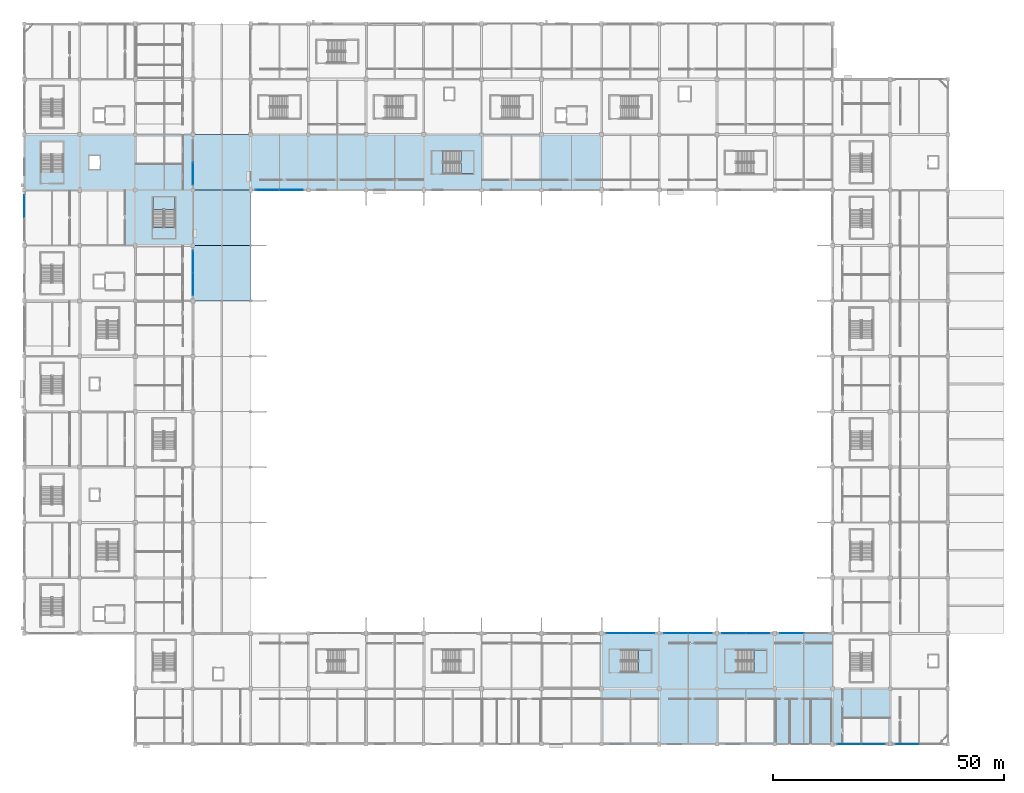
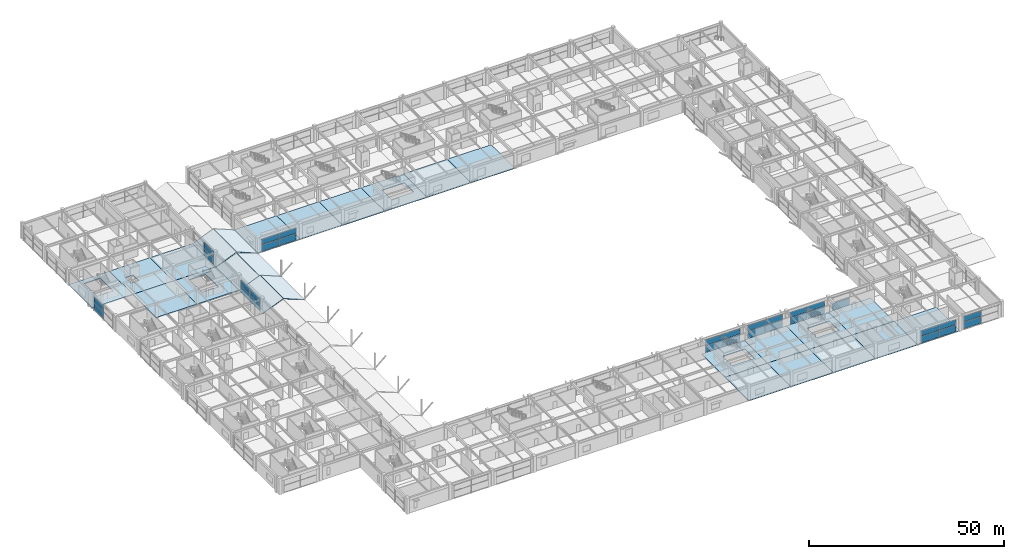
# One storey, part 57 of 116: 31 plates, 30 slabs, 14 elements without a shape of their own.
"""IFC4 building model written with IfcOpenShell, lengths in metres."""

from ifc_helpers import new_model, si_unit, direction, frame, origin, origin_2d, place, context, subcontext, project, spatial, polyline, rectangle, outline, extrude, material, layer, layer_set, type_object, element, aggregate, save


model = new_model("IFC4")

# Units and contexts
model_context = context("Model", 3, precision=1e-05, world=origin(), true_north=direction((0.0, 1.0)))
body_context = subcontext(model_context, "Body", "Model", "MODEL_VIEW")
ifc_project = project(units=[si_unit("LENGTHUNIT", "METRE"), si_unit("AREAUNIT", "SQUARE_METRE"), si_unit("VOLUMEUNIT", "CUBIC_METRE"), si_unit("PLANEANGLEUNIT", "RADIAN"), si_unit("MASSUNIT", "GRAM", prefix="KILO")], contexts=[model_context])

# Site, building, storey
site_placement = place(None, origin())
site = spatial("IfcSite", under=ifc_project, at=site_placement, CompositionType="ELEMENT")
building_placement = place(site_placement, origin())
building = spatial("IfcBuilding", under=site, at=building_placement, Name="Kazenohara Klinker Stadium", CompositionType="ELEMENT")
storey_placement = place(building_placement, frame((0.0, 0.0, 10.199951171875)))
storey = spatial("IfcBuildingStorey", under=building, at=storey_placement, Name="L02", CompositionType="ELEMENT", Elevation=10.199951171875)

# Curtain wall, plates
ifc_material_1 = material(Name="Anodised aluminium and triple glazing", Category="aluminium")
ifc_layer_1 = layer(ifc_material_1, 0.159912109375)
ifc_layer_set_1 = layer_set([ifc_layer_1], Name="Anodised aluminium and triple glazing")
curtain_wall_type_1 = type_object("IfcCurtainWallType", Name="CW-SYS-01", PredefinedType="USERDEFINED", material=ifc_layer_set_1)
curtain_wall_1_placement = place(storey_placement, origin())
curtain_wall_1 = element("IfcCurtainWall", 1, at=curtain_wall_1_placement, inside=storey, type_object=curtain_wall_type_1, Name="Unitised facade curtain wall CW01 L02 Y0-10", ObjectType="UNITISED CURTAIN WALL", PredefinedType="USERDEFINED")
ifc_material_2 = material(Name="Low-e laminated triple glazing", Category="glass")
ifc_layer_2 = layer(ifc_material_2, 0.035888671875)
ifc_layer_set_2 = layer_set([ifc_layer_2], Name="Low-e laminated triple glazing")
plate_type_1 = type_object("IfcPlateType", Name="CW-PNL-36", PredefinedType="CURTAIN_PANEL", material=ifc_layer_set_2)
plate_1_placement = place(storey_placement, frame((0.0, 128.46923828125, 0.065185546875), z_axis=(0.0, 0.0, 1.0), x_axis=(0.0, 1.0, 0.0)))
plate_1 = element("IfcPlate", 2, at=plate_1_placement, type_object=plate_type_1, Name="CW01 panel 2.1", PredefinedType="CURTAIN_PANEL", context=body_context, shape_type="SweptSolid", body=[
    extrude(rectangle(XDim=4.823486328125, YDim=0.035888671875, at=origin_2d()), origin(), (0.0, 0.0, 1.0), 2.16845703125),
])
plate_2_placement = place(storey_placement, frame((0.0, 128.46923828125, 2.29833984375), z_axis=(0.0, 0.0, 1.0), x_axis=(0.0, 1.0, 0.0)))
plate_2 = element("IfcPlate", 3, at=plate_2_placement, type_object=plate_type_1, Name="CW01 panel 2.2", PredefinedType="CURTAIN_PANEL", context=body_context, shape_type="SweptSolid", body=[
    extrude(rectangle(XDim=4.823486328125, YDim=0.035888671875, at=origin_2d()), origin(), (0.0, 0.0, 1.0), 1.756591796875),
])
aggregate(curtain_wall_1, [plate_1, plate_2])

ifc_layer_3 = layer(ifc_material_1, 0.169921875)
ifc_layer_set_3 = layer_set([ifc_layer_3], Name="Anodised aluminium and triple glazing")
curtain_wall_type_2 = type_object("IfcCurtainWallType", Name="CW-SYS-04", PredefinedType="USERDEFINED", material=ifc_layer_set_3)
curtain_wall_2_placement = place(storey_placement, origin())
curtain_wall_2 = element("IfcCurtainWall", 4, at=curtain_wall_2_placement, inside=storey, type_object=curtain_wall_type_2, Name="Unitised facade curtain wall CW04 L02 Y3-9", ObjectType="UNITISED CURTAIN WALL", PredefinedType="USERDEFINED")
plate_3_placement = place(storey_placement, frame((36.5, 111.605712890625, 0.06494140625), z_axis=(0.0, 0.0, 1.0), x_axis=(0.0, 1.0, 0.0)))
plate_3 = element("IfcPlate", 5, at=plate_3_placement, type_object=plate_type_1, Name="CW04 panel 1.1", PredefinedType="CURTAIN_PANEL", context=body_context, shape_type="SweptSolid", body=[
    extrude(rectangle(XDim=4.7734375, YDim=0.035888671875, at=origin_2d()), origin(), (0.0, 0.0, 1.0), 2.113525390625),
])
plate_4_placement = place(storey_placement, frame((36.5, 111.605712890625, 2.24365234375), z_axis=(0.0, 0.0, 1.0), x_axis=(0.0, 1.0, 0.0)))
plate_4 = element("IfcPlate", 6, at=plate_4_placement, type_object=plate_type_1, Name="CW04 panel 1.2", PredefinedType="CURTAIN_PANEL", context=body_context, shape_type="SweptSolid", body=[
    extrude(rectangle(XDim=4.7734375, YDim=0.035888671875, at=origin_2d()), origin(), (0.0, 0.0, 1.0), 1.71142578125),
])
plate_5_placement = place(storey_placement, frame((36.5, 116.4443359375, 0.06494140625), z_axis=(0.0, 0.0, 1.0), x_axis=(0.0, 1.0, 0.0)))
plate_5 = element("IfcPlate", 7, at=plate_5_placement, type_object=plate_type_1, Name="CW04 panel 2.1", PredefinedType="CURTAIN_PANEL", context=body_context, shape_type="SweptSolid", body=[
    extrude(rectangle(XDim=4.7734375, YDim=0.035888671875, at=origin_2d()), origin(), (0.0, 0.0, 1.0), 2.113525390625),
])
plate_6_placement = place(storey_placement, frame((36.5, 116.4443359375, 2.24365234375), z_axis=(0.0, 0.0, 1.0), x_axis=(0.0, 1.0, 0.0)))
plate_6 = element("IfcPlate", 8, at=plate_6_placement, type_object=plate_type_1, Name="CW04 panel 2.2", PredefinedType="CURTAIN_PANEL", context=body_context, shape_type="SweptSolid", body=[
    extrude(rectangle(XDim=4.7734375, YDim=0.035888671875, at=origin_2d()), origin(), (0.0, 0.0, 1.0), 1.71142578125),
])
aggregate(curtain_wall_2, [plate_3, plate_4, plate_5, plate_6])

ifc_layer_4 = layer(ifc_material_1, 0.18994140625)
ifc_layer_set_4 = layer_set([ifc_layer_4], Name="Anodised aluminium and triple glazing")
curtain_wall_type_3 = type_object("IfcCurtainWallType", Name="CW-SYS-05", PredefinedType="USERDEFINED", material=ifc_layer_set_4)
curtain_wall_3_placement = place(storey_placement, origin())
curtain_wall_3 = element("IfcCurtainWall", 9, at=curtain_wall_3_placement, inside=storey, type_object=curtain_wall_type_3, Name="Unitised facade curtain wall CW05 L02 X10-3", ObjectType="UNITISED CURTAIN WALL", PredefinedType="USERDEFINED")
plate_7_placement = place(storey_placement, frame((128.705810546875, 36.0, 0.065185546875), z_axis=(0.0, 0.0, 1.0), x_axis=(1.0, 0.0, 0.0)))
plate_7 = element("IfcPlate", 10, at=plate_7_placement, type_object=plate_type_1, Name="CW05 panel 1.1", PredefinedType="CURTAIN_PANEL", context=body_context, shape_type="SweptSolid", body=[
    extrude(rectangle(XDim=5.073486328125, YDim=0.035888671875, at=origin_2d()), origin(), (0.0, 0.0, 1.0), 2.16845703125),
])
plate_8_placement = place(storey_placement, frame((128.705810546875, 36.0, 2.29833984375), z_axis=(0.0, 0.0, 1.0), x_axis=(1.0, 0.0, 0.0)))
plate_8 = element("IfcPlate", 11, at=plate_8_placement, type_object=plate_type_1, Name="CW05 panel 1.2", PredefinedType="CURTAIN_PANEL", context=body_context, shape_type="SweptSolid", body=[
    extrude(rectangle(XDim=5.073486328125, YDim=0.035888671875, at=origin_2d()), origin(), (0.0, 0.0, 1.0), 1.756591796875),
])
plate_9_placement = place(storey_placement, frame((133.84423828125, 36.0, 0.065185546875), z_axis=(0.0, 0.0, 1.0), x_axis=(1.0, 0.0, 0.0)))
plate_9 = element("IfcPlate", 12, at=plate_9_placement, type_object=plate_type_1, Name="CW05 panel 2.1", PredefinedType="CURTAIN_PANEL", context=body_context, shape_type="SweptSolid", body=[
    extrude(rectangle(XDim=5.073486328125, YDim=0.035888671875, at=origin_2d()), origin(), (0.0, 0.0, 1.0), 2.16845703125),
])
plate_10_placement = place(storey_placement, frame((133.84423828125, 36.0, 2.29833984375), z_axis=(0.0, 0.0, 1.0), x_axis=(1.0, 0.0, 0.0)))
plate_10 = element("IfcPlate", 13, at=plate_10_placement, type_object=plate_type_1, Name="CW05 panel 2.2", PredefinedType="CURTAIN_PANEL", context=body_context, shape_type="SweptSolid", body=[
    extrude(rectangle(XDim=5.073486328125, YDim=0.035888671875, at=origin_2d()), origin(), (0.0, 0.0, 1.0), 1.756591796875),
])
aggregate(curtain_wall_3, [plate_7, plate_8, plate_9, plate_10])

ifc_layer_5 = layer(ifc_material_1, 0.179931640625)
ifc_layer_set_5 = layer_set([ifc_layer_5], Name="Anodised aluminium and triple glazing")
curtain_wall_type_4 = type_object("IfcCurtainWallType", Name="CW-SYS-02", PredefinedType="USERDEFINED", material=ifc_layer_set_5)
curtain_wall_4_placement = place(storey_placement, origin())
curtain_wall_4 = element("IfcCurtainWall", 14, at=curtain_wall_4_placement, inside=storey, type_object=curtain_wall_type_4, Name="Unitised facade curtain wall CW02 L02 X11-3", ObjectType="UNITISED CURTAIN WALL", PredefinedType="USERDEFINED")
plate_11_placement = place(storey_placement, frame((141.168212890625, 36.0, 0.06494140625), z_axis=(0.0, 0.0, 1.0), x_axis=(1.0, 0.0, 0.0)))
plate_11 = element("IfcPlate", 15, at=plate_11_placement, type_object=plate_type_1, Name="CW02 panel 1.1", PredefinedType="CURTAIN_PANEL", context=body_context, shape_type="SweptSolid", body=[
    extrude(rectangle(XDim=5.098388671875, YDim=0.035888671875, at=origin_2d()), origin(), (0.0, 0.0, 1.0), 2.223388671875),
])
plate_12_placement = place(storey_placement, frame((141.168212890625, 36.0, 2.353515625), z_axis=(0.0, 0.0, 1.0), x_axis=(1.0, 0.0, 0.0)))
plate_12 = element("IfcPlate", 16, at=plate_12_placement, type_object=plate_type_1, Name="CW02 panel 1.2", PredefinedType="CURTAIN_PANEL", context=body_context, shape_type="SweptSolid", body=[
    extrude(rectangle(XDim=5.098388671875, YDim=0.035888671875, at=origin_2d()), origin(), (0.0, 0.0, 1.0), 1.801513671875),
])
plate_13_placement = place(storey_placement, frame((146.331787109375, 36.0, 0.06494140625), z_axis=(0.0, 0.0, 1.0), x_axis=(1.0, 0.0, 0.0)))
plate_13 = element("IfcPlate", 17, at=plate_13_placement, type_object=plate_type_1, Name="CW02 panel 2.1", PredefinedType="CURTAIN_PANEL", context=body_context, shape_type="SweptSolid", body=[
    extrude(rectangle(XDim=5.098388671875, YDim=0.035888671875, at=origin_2d()), origin(), (0.0, 0.0, 1.0), 2.223388671875),
])
plate_14_placement = place(storey_placement, frame((146.331787109375, 36.0, 2.353515625), z_axis=(0.0, 0.0, 1.0), x_axis=(1.0, 0.0, 0.0)))
plate_14 = element("IfcPlate", 18, at=plate_14_placement, type_object=plate_type_1, Name="CW02 panel 2.2", PredefinedType="CURTAIN_PANEL", context=body_context, shape_type="SweptSolid", body=[
    extrude(rectangle(XDim=5.098388671875, YDim=0.035888671875, at=origin_2d()), origin(), (0.0, 0.0, 1.0), 1.801513671875),
])
aggregate(curtain_wall_4, [plate_11, plate_12, plate_13, plate_14])

curtain_wall_5_placement = place(storey_placement, origin())
curtain_wall_5 = element("IfcCurtainWall", 19, at=curtain_wall_5_placement, inside=storey, type_object=curtain_wall_type_2, Name="Unitised facade curtain wall CW04 L02 X12-3", ObjectType="UNITISED CURTAIN WALL", PredefinedType="USERDEFINED")
plate_15_placement = place(storey_placement, frame((153.65576171875, 36.0, 0.06494140625), z_axis=(0.0, 0.0, 1.0), x_axis=(1.0, 0.0, 0.0)))
plate_15 = element("IfcPlate", 20, at=plate_15_placement, type_object=plate_type_1, Name="CW04 panel 1.1", PredefinedType="CURTAIN_PANEL", context=body_context, shape_type="SweptSolid", body=[
    extrude(rectangle(XDim=5.073486328125, YDim=0.035888671875, at=origin_2d()), origin(), (0.0, 0.0, 1.0), 2.113525390625),
])
plate_16_placement = place(storey_placement, frame((153.65576171875, 36.0, 2.24365234375), z_axis=(0.0, 0.0, 1.0), x_axis=(1.0, 0.0, 0.0)))
plate_16 = element("IfcPlate", 21, at=plate_16_placement, type_object=plate_type_1, Name="CW04 panel 1.2", PredefinedType="CURTAIN_PANEL", context=body_context, shape_type="SweptSolid", body=[
    extrude(rectangle(XDim=5.073486328125, YDim=0.035888671875, at=origin_2d()), origin(), (0.0, 0.0, 1.0), 1.71142578125),
])
plate_17_placement = place(storey_placement, frame((158.794189453125, 36.0, 0.06494140625), z_axis=(0.0, 0.0, 1.0), x_axis=(1.0, 0.0, 0.0)))
plate_17 = element("IfcPlate", 22, at=plate_17_placement, type_object=plate_type_1, Name="CW04 panel 2.1", PredefinedType="CURTAIN_PANEL", context=body_context, shape_type="SweptSolid", body=[
    extrude(rectangle(XDim=5.073486328125, YDim=0.035888671875, at=origin_2d()), origin(), (0.0, 0.0, 1.0), 2.113525390625),
])
plate_18_placement = place(storey_placement, frame((158.794189453125, 36.0, 2.24365234375), z_axis=(0.0, 0.0, 1.0), x_axis=(1.0, 0.0, 0.0)))
plate_18 = element("IfcPlate", 23, at=plate_18_placement, type_object=plate_type_1, Name="CW04 panel 2.2", PredefinedType="CURTAIN_PANEL", context=body_context, shape_type="SweptSolid", body=[
    extrude(rectangle(XDim=5.073486328125, YDim=0.035888671875, at=origin_2d()), origin(), (0.0, 0.0, 1.0), 1.71142578125),
])
aggregate(curtain_wall_5, [plate_15, plate_16, plate_17, plate_18])

# Curtain wall, plate
curtain_wall_6_placement = place(storey_placement, origin())
curtain_wall_6 = element("IfcCurtainWall", 24, at=curtain_wall_6_placement, inside=storey, type_object=curtain_wall_type_1, Name="Unitised facade curtain wall CW01 L02 X13-3", ObjectType="UNITISED CURTAIN WALL", PredefinedType="USERDEFINED")
plate_19_placement = place(storey_placement, frame((166.205810546875, 36.0, 0.065185546875), z_axis=(0.0, 0.0, 1.0), x_axis=(1.0, 0.0, 0.0)))
plate_19 = element("IfcPlate", 25, at=plate_19_placement, type_object=plate_type_1, Name="CW01 panel 1.1", PredefinedType="CURTAIN_PANEL", context=body_context, shape_type="SweptSolid", body=[
    extrude(rectangle(XDim=5.073486328125, YDim=0.035888671875, at=origin_2d()), origin(), (0.0, 0.0, 1.0), 2.16845703125),
])
aggregate(curtain_wall_6, [plate_19])

# Curtain wall, plates
ifc_layer_6 = layer(ifc_material_1, 0.199951171875)
ifc_layer_set_6 = layer_set([ifc_layer_6], Name="Anodised aluminium and triple glazing")
curtain_wall_type_5 = type_object("IfcCurtainWallType", Name="CW-SYS-03", PredefinedType="USERDEFINED", material=ifc_layer_set_6)
curtain_wall_7_placement = place(storey_placement, origin())
curtain_wall_7 = element("IfcCurtainWall", 26, at=curtain_wall_7_placement, inside=storey, type_object=curtain_wall_type_5, Name="Unitised facade curtain wall CW03 L02 X14-1", ObjectType="UNITISED CURTAIN WALL", PredefinedType="USERDEFINED")
plate_20_placement = place(storey_placement, frame((178.65576171875, 12.0, 0.06494140625), z_axis=(0.0, 0.0, 1.0), x_axis=(1.0, 0.0, 0.0)))
plate_20 = element("IfcPlate", 27, at=plate_20_placement, type_object=plate_type_1, Name="CW03 panel 1.1", PredefinedType="CURTAIN_PANEL", context=body_context, shape_type="SweptSolid", body=[
    extrude(rectangle(XDim=5.073486328125, YDim=0.035888671875, at=origin_2d()), origin(), (0.0, 0.0, 1.0), 2.113525390625),
])
plate_21_placement = place(storey_placement, frame((178.65576171875, 12.0, 2.24365234375), z_axis=(0.0, 0.0, 1.0), x_axis=(1.0, 0.0, 0.0)))
plate_21 = element("IfcPlate", 28, at=plate_21_placement, type_object=plate_type_1, Name="CW03 panel 1.2", PredefinedType="CURTAIN_PANEL", context=body_context, shape_type="SweptSolid", body=[
    extrude(rectangle(XDim=5.073486328125, YDim=0.035888671875, at=origin_2d()), origin(), (0.0, 0.0, 1.0), 1.71142578125),
])
plate_22_placement = place(storey_placement, frame((183.794189453125, 12.0, 0.06494140625), z_axis=(0.0, 0.0, 1.0), x_axis=(1.0, 0.0, 0.0)))
plate_22 = element("IfcPlate", 29, at=plate_22_placement, type_object=plate_type_1, Name="CW03 panel 2.1", PredefinedType="CURTAIN_PANEL", context=body_context, shape_type="SweptSolid", body=[
    extrude(rectangle(XDim=5.073486328125, YDim=0.035888671875, at=origin_2d()), origin(), (0.0, 0.0, 1.0), 2.113525390625),
])
plate_23_placement = place(storey_placement, frame((183.794189453125, 12.0, 2.24365234375), z_axis=(0.0, 0.0, 1.0), x_axis=(1.0, 0.0, 0.0)))
plate_23 = element("IfcPlate", 30, at=plate_23_placement, type_object=plate_type_1, Name="CW03 panel 2.2", PredefinedType="CURTAIN_PANEL", context=body_context, shape_type="SweptSolid", body=[
    extrude(rectangle(XDim=5.073486328125, YDim=0.035888671875, at=origin_2d()), origin(), (0.0, 0.0, 1.0), 1.71142578125),
])
aggregate(curtain_wall_7, [plate_20, plate_21, plate_22, plate_23])

curtain_wall_8_placement = place(storey_placement, origin())
curtain_wall_8 = element("IfcCurtainWall", 31, at=curtain_wall_8_placement, inside=storey, type_object=curtain_wall_type_3, Name="Unitised facade curtain wall CW05 L02 Y3-11", ObjectType="UNITISED CURTAIN WALL", PredefinedType="USERDEFINED")
ifc_layer_7 = layer(ifc_material_2, 0.0439453125)
ifc_layer_set_7 = layer_set([ifc_layer_7], Name="Low-e laminated triple glazing")
plate_type_2 = type_object("IfcPlateType", Name="CW-PNL-44", PredefinedType="CURTAIN_PANEL", material=ifc_layer_set_7)
plate_24_placement = place(storey_placement, frame((36.5, 135.520751953125, 0.0751953125), z_axis=(0.0, 0.0, 1.0), x_axis=(0.0, 1.0, 0.0)))
plate_24 = element("IfcPlate", 32, at=plate_24_placement, type_object=plate_type_2, Name="CW05 panel 1.1", PredefinedType="CURTAIN_PANEL", context=body_context, shape_type="SweptSolid", body=[
    extrude(rectangle(XDim=4.783447265625, YDim=0.0439453125, at=origin_2d()), origin(), (0.0, 0.0, 1.0), 2.215087890625),
])
plate_25_placement = place(storey_placement, frame((36.5, 135.520751953125, 2.364990234375), z_axis=(0.0, 0.0, 1.0), x_axis=(0.0, 1.0, 0.0)))
plate_25 = element("IfcPlate", 33, at=plate_25_placement, type_object=plate_type_2, Name="CW05 panel 1.2", PredefinedType="CURTAIN_PANEL", context=body_context, shape_type="SweptSolid", body=[
    extrude(rectangle(XDim=4.783447265625, YDim=0.0439453125, at=origin_2d()), origin(), (0.0, 0.0, 1.0), 1.7919921875),
])
aggregate(curtain_wall_8, [plate_24, plate_25])

curtain_wall_9_placement = place(storey_placement, origin())
curtain_wall_9 = element("IfcCurtainWall", 34, at=curtain_wall_9_placement, inside=storey, type_object=curtain_wall_type_2, Name="Unitised facade curtain wall CW04 L02 X4-11", ObjectType="UNITISED CURTAIN WALL", PredefinedType="USERDEFINED")
plate_26_placement = place(storey_placement, frame((52.658203125, 132.0, 0.0751953125), z_axis=(0.0, 0.0, 1.0), x_axis=(1.0, 0.0, 0.0)))
plate_26 = element("IfcPlate", 35, at=plate_26_placement, type_object=plate_type_2, Name="CW04 panel 1.1", PredefinedType="CURTAIN_PANEL", context=body_context, shape_type="SweptSolid", body=[
    extrude(rectangle(XDim=5.05859375, YDim=0.0439453125, at=origin_2d()), origin(), (0.0, 0.0, 1.0), 2.098388671875),
])
plate_27_placement = place(storey_placement, frame((52.658203125, 132.0, 2.24853515625), z_axis=(0.0, 0.0, 1.0), x_axis=(1.0, 0.0, 0.0)))
plate_27 = element("IfcPlate", 36, at=plate_27_placement, type_object=plate_type_2, Name="CW04 panel 1.2", PredefinedType="CURTAIN_PANEL", context=body_context, shape_type="SweptSolid", body=[
    extrude(rectangle(XDim=5.05859375, YDim=0.0439453125, at=origin_2d()), origin(), (0.0, 0.0, 1.0), 1.696533203125),
])
plate_28_placement = place(storey_placement, frame((57.791748046875, 132.0, 0.0751953125), z_axis=(0.0, 0.0, 1.0), x_axis=(1.0, 0.0, 0.0)))
plate_28 = element("IfcPlate", 37, at=plate_28_placement, type_object=plate_type_2, Name="CW04 panel 2.1", PredefinedType="CURTAIN_PANEL", context=body_context, shape_type="SweptSolid", body=[
    extrude(rectangle(XDim=5.05859375, YDim=0.0439453125, at=origin_2d()), origin(), (0.0, 0.0, 1.0), 2.098388671875),
])
plate_29_placement = place(storey_placement, frame((57.791748046875, 132.0, 2.24853515625), z_axis=(0.0, 0.0, 1.0), x_axis=(1.0, 0.0, 0.0)))
plate_29 = element("IfcPlate", 38, at=plate_29_placement, type_object=plate_type_2, Name="CW04 panel 2.2", PredefinedType="CURTAIN_PANEL", context=body_context, shape_type="SweptSolid", body=[
    extrude(rectangle(XDim=5.05859375, YDim=0.0439453125, at=origin_2d()), origin(), (0.0, 0.0, 1.0), 1.696533203125),
])
aggregate(curtain_wall_9, [plate_26, plate_27, plate_28, plate_29])

curtain_wall_10_placement = place(storey_placement, origin())
curtain_wall_10 = element("IfcCurtainWall", 39, at=curtain_wall_10_placement, inside=storey, type_object=curtain_wall_type_5, Name="Unitised facade curtain wall CW03 L02 X15-1", ObjectType="UNITISED CURTAIN WALL", PredefinedType="USERDEFINED")
plate_30_placement = place(storey_placement, frame((191.208251953125, 12.0, 0.0751953125), z_axis=(0.0, 0.0, 1.0), x_axis=(1.0, 0.0, 0.0)))
plate_30 = element("IfcPlate", 40, at=plate_30_placement, type_object=plate_type_2, Name="CW03 panel 1.1", PredefinedType="CURTAIN_PANEL", context=body_context, shape_type="SweptSolid", body=[
    extrude(rectangle(XDim=5.05859375, YDim=0.0439453125, at=origin_2d()), origin(), (0.0, 0.0, 1.0), 2.153564453125),
])
plate_31_placement = place(storey_placement, frame((191.208251953125, 12.0, 2.3037109375), z_axis=(0.0, 0.0, 1.0), x_axis=(1.0, 0.0, 0.0)))
plate_31 = element("IfcPlate", 41, at=plate_31_placement, type_object=plate_type_2, Name="CW03 panel 1.2", PredefinedType="CURTAIN_PANEL", context=body_context, shape_type="SweptSolid", body=[
    extrude(rectangle(XDim=5.05859375, YDim=0.0439453125, at=origin_2d()), origin(), (0.0, 0.0, 1.0), 1.741455078125),
])
aggregate(curtain_wall_10, [plate_30, plate_31])

# Slabs
ifc_material_3 = material(Name="Concrete C40/50", Category="concrete")
ifc_layer_8 = layer(ifc_material_3, 0.25)
ifc_layer_set_8 = layer_set([ifc_layer_8], Name="Concrete C40/50")
slab_type_1 = type_object("IfcSlabType", Name="SLB-FLR-250", PredefinedType="FLOOR", material=ifc_layer_set_8)
slab_1_placement = place(storey_placement, frame((0.0, 0.0, -0.25)))
element("IfcSlab", 42, at=slab_1_placement, inside=storey, type_object=slab_type_1, Name="Floor slab FS03 L02 1/M", PredefinedType="FLOOR", context=body_context, shape_type="SweptSolid", body=[
    extrude(outline(polyline([(0.0, 132.0), (12.0, 132.0), (12.0, 144.0), (0.0, 144.0), (0.0, 132.0)]), holes=[polyline([(8.39990234375, 135.919921875), (8.39990234375, 142.4599609375), (3.60009765625, 142.4599609375), (3.60009765625, 135.919921875), (8.39990234375, 135.919921875)])]), origin(), (0.0, 0.0, 1.0), 0.25),
])
slab_2_placement = place(storey_placement, frame((0.0, 0.0, -0.25)))
element("IfcSlab", 43, at=slab_2_placement, inside=storey, type_object=slab_type_1, Name="Floor slab FS03 L02 2/L", PredefinedType="FLOOR", context=body_context, shape_type="SweptSolid", body=[
    extrude(outline(polyline([(12.0, 120.0), (24.0, 120.0), (24.0, 132.0), (12.0, 132.0), (12.0, 120.0)])), origin(), (0.0, 0.0, 1.0), 0.25),
])
slab_3_placement = place(storey_placement, frame((0.0, 0.0, -0.25)))
element("IfcSlab", 44, at=slab_3_placement, inside=storey, type_object=slab_type_1, Name="Floor slab FS03 L02 2/M", PredefinedType="FLOOR", context=body_context, shape_type="SweptSolid", body=[
    extrude(outline(polyline([(12.0, 132.0), (24.0, 132.0), (24.0, 144.0), (12.0, 144.0), (12.0, 132.0)]), holes=[polyline([(14.050048828125, 136.550048828125), (16.35009765625, 136.550048828125), (16.35009765625, 139.449951171875), (14.050048828125, 139.449951171875), (14.050048828125, 136.550048828125)])]), origin(), (0.0, 0.0, 1.0), 0.25),
])
slab_4_placement = place(storey_placement, frame((0.0, 0.0, -0.25)))
element("IfcSlab", 45, at=slab_4_placement, inside=storey, type_object=slab_type_1, Name="Floor slab FS03 L02 3/L", PredefinedType="FLOOR", context=body_context, shape_type="SweptSolid", body=[
    extrude(outline(polyline([(24.0, 120.0), (36.5, 120.0), (36.5, 132.0), (24.0, 132.0), (24.0, 120.0)]), holes=[polyline([(32.659912109375, 123.929931640625), (32.659912109375, 130.4599609375), (27.840087890625, 130.4599609375), (27.840087890625, 123.929931640625), (32.659912109375, 123.929931640625)])]), origin(), (0.0, 0.0, 1.0), 0.25),
])
slab_5_placement = place(storey_placement, frame((0.0, 0.0, -0.25)))
element("IfcSlab", 46, at=slab_5_placement, inside=storey, type_object=slab_type_1, Name="Floor slab FS03 L02 3/M", PredefinedType="FLOOR", context=body_context, shape_type="SweptSolid", body=[
    extrude(outline(polyline([(24.0, 132.0), (36.5, 132.0), (36.5, 144.0), (24.0, 144.0), (24.0, 132.0)])), origin(), (0.0, 0.0, 1.0), 0.25),
])
slab_6_placement = place(storey_placement, frame((0.0, 0.0, -0.25)))
element("IfcSlab", 47, at=slab_6_placement, inside=storey, type_object=slab_type_1, Name="Floor slab FS03 L02 5/M", PredefinedType="FLOOR", context=body_context, shape_type="SweptSolid", body=[
    extrude(outline(polyline([(49.0, 132.0), (61.5, 132.0), (61.5, 144.0), (49.0, 144.0), (49.0, 132.0)])), origin(), (0.0, 0.0, 1.0), 0.25),
])
slab_7_placement = place(storey_placement, frame((0.0, 0.0, -0.25)))
element("IfcSlab", 48, at=slab_7_placement, inside=storey, type_object=slab_type_1, Name="Floor slab FS03 L02 6/M", PredefinedType="FLOOR", context=body_context, shape_type="SweptSolid", body=[
    extrude(outline(polyline([(61.5, 132.0), (74.0, 132.0), (74.0, 144.0), (61.5, 144.0), (61.5, 132.0)])), origin(), (0.0, 0.0, 1.0), 0.25),
])
slab_8_placement = place(storey_placement, frame((0.0, 0.0, -0.25)))
element("IfcSlab", 49, at=slab_8_placement, inside=storey, type_object=slab_type_1, Name="Floor slab FS03 L02 7/M", PredefinedType="FLOOR", context=body_context, shape_type="SweptSolid", body=[
    extrude(outline(polyline([(74.0, 132.0), (86.5, 132.0), (86.5, 144.0), (74.0, 144.0), (74.0, 132.0)])), origin(), (0.0, 0.0, 1.0), 0.25),
])
slab_9_placement = place(storey_placement, frame((0.0, 0.0, -0.25)))
element("IfcSlab", 50, at=slab_9_placement, inside=storey, type_object=slab_type_1, Name="Floor slab FS03 L02 8/M", PredefinedType="FLOOR", context=body_context, shape_type="SweptSolid", body=[
    extrude(outline(polyline([(86.5, 132.0), (99.0, 132.0), (99.0, 144.0), (86.5, 144.0), (86.5, 132.0)]), holes=[polyline([(90.699951171875, 135.570068359375), (97.2099609375, 135.570068359375), (97.2099609375, 140.429931640625), (90.699951171875, 140.429931640625), (90.699951171875, 135.570068359375)])]), origin(), (0.0, 0.0, 1.0), 0.25),
])
slab_10_placement = place(storey_placement, frame((0.0, 0.0, -0.25)))
element("IfcSlab", 51, at=slab_10_placement, inside=storey, type_object=slab_type_1, Name="Floor slab FS03 L02 9/M", PredefinedType="FLOOR", context=body_context, shape_type="SweptSolid", body=[
    extrude(outline(polyline([(99.0, 132.0), (112.0, 132.0), (112.0, 144.0), (99.0, 144.0), (99.0, 132.0)])), origin(), (0.0, 0.0, 1.0), 0.25),
])
slab_11_placement = place(storey_placement, frame((0.0, 0.0, -0.25)))
element("IfcSlab", 52, at=slab_11_placement, inside=storey, type_object=slab_type_1, Name="Floor slab FS03 L02 10/M", PredefinedType="FLOOR", context=body_context, shape_type="SweptSolid", body=[
    extrude(outline(polyline([(112.0, 132.0), (125.0, 132.0), (125.0, 144.0), (112.0, 144.0), (112.0, 132.0)])), origin(), (0.0, 0.0, 1.0), 0.25),
])
slab_12_placement = place(storey_placement, frame((0.0, 0.0, -0.25)))
element("IfcSlab", 53, at=slab_12_placement, inside=storey, type_object=slab_type_1, Name="Floor slab FS03 L02 11/B", PredefinedType="FLOOR", context=body_context, shape_type="SweptSolid", body=[
    extrude(outline(polyline([(125.0, 12.0), (137.5, 12.0), (137.5, 24.0), (125.0, 24.0), (125.0, 12.0)])), origin(), (0.0, 0.0, 1.0), 0.25),
])
slab_13_placement = place(storey_placement, frame((0.0, 0.0, -0.25)))
element("IfcSlab", 54, at=slab_13_placement, inside=storey, type_object=slab_type_1, Name="Floor slab FS03 L02 11/C", PredefinedType="FLOOR", context=body_context, shape_type="SweptSolid", body=[
    extrude(outline(polyline([(125.0, 24.0), (137.5, 24.0), (137.5, 36.0), (125.0, 36.0), (125.0, 24.0)]), holes=[polyline([(129.199951171875, 27.570068359375), (135.7099609375, 27.570068359375), (135.7099609375, 32.429931640625), (129.199951171875, 32.429931640625), (129.199951171875, 27.570068359375)])]), origin(), (0.0, 0.0, 1.0), 0.25),
])
slab_14_placement = place(storey_placement, frame((0.0, 0.0, -0.25)))
element("IfcSlab", 55, at=slab_14_placement, inside=storey, type_object=slab_type_1, Name="Floor slab FS03 L02 12/B", PredefinedType="FLOOR", context=body_context, shape_type="SweptSolid", body=[
    extrude(outline(polyline([(137.5, 12.0), (150.0, 12.0), (150.0, 24.0), (137.5, 24.0), (137.5, 12.0)])), origin(), (0.0, 0.0, 1.0), 0.25),
])
slab_15_placement = place(storey_placement, frame((0.0, 0.0, -0.25)))
element("IfcSlab", 56, at=slab_15_placement, inside=storey, type_object=slab_type_1, Name="Floor slab FS03 L02 12/C", PredefinedType="FLOOR", context=body_context, shape_type="SweptSolid", body=[
    extrude(outline(polyline([(137.5, 24.0), (150.0, 24.0), (150.0, 36.0), (137.5, 36.0), (137.5, 24.0)])), origin(), (0.0, 0.0, 1.0), 0.25),
])
slab_16_placement = place(storey_placement, frame((0.0, 0.0, -0.25)))
element("IfcSlab", 57, at=slab_16_placement, inside=storey, type_object=slab_type_1, Name="Floor slab FS03 L02 13/B", PredefinedType="FLOOR", context=body_context, shape_type="SweptSolid", body=[
    extrude(outline(polyline([(150.0, 12.0), (162.5, 12.0), (162.5, 24.0), (150.0, 24.0), (150.0, 12.0)])), origin(), (0.0, 0.0, 1.0), 0.25),
])
slab_17_placement = place(storey_placement, frame((0.0, 0.0, -0.25)))
element("IfcSlab", 58, at=slab_17_placement, inside=storey, type_object=slab_type_1, Name="Floor slab FS03 L02 13/C", PredefinedType="FLOOR", context=body_context, shape_type="SweptSolid", body=[
    extrude(outline(polyline([(150.0, 24.0), (162.5, 24.0), (162.5, 36.0), (150.0, 36.0), (150.0, 24.0)]), holes=[polyline([(154.2099609375, 27.56005859375), (160.7099609375, 27.56005859375), (160.7099609375, 32.43994140625), (154.2099609375, 32.43994140625), (154.2099609375, 27.56005859375)])]), origin(), (0.0, 0.0, 1.0), 0.25),
])
slab_18_placement = place(storey_placement, frame((0.0, 0.0, -0.25)))
element("IfcSlab", 59, at=slab_18_placement, inside=storey, type_object=slab_type_1, Name="Floor slab FS03 L02 14/B", PredefinedType="FLOOR", context=body_context, shape_type="SweptSolid", body=[
    extrude(outline(polyline([(162.5, 12.0), (175.0, 12.0), (175.0, 24.0), (162.5, 24.0), (162.5, 12.0)])), origin(), (0.0, 0.0, 1.0), 0.25),
])
slab_19_placement = place(storey_placement, frame((0.0, 0.0, -0.25)))
element("IfcSlab", 60, at=slab_19_placement, inside=storey, type_object=slab_type_1, Name="Floor slab FS03 L02 14/C", PredefinedType="FLOOR", context=body_context, shape_type="SweptSolid", body=[
    extrude(outline(polyline([(162.5, 24.0), (175.0, 24.0), (175.0, 36.0), (162.5, 36.0), (162.5, 24.0)])), origin(), (0.0, 0.0, 1.0), 0.25),
])
slab_20_placement = place(storey_placement, frame((0.0, 0.0, -0.25)))
element("IfcSlab", 61, at=slab_20_placement, inside=storey, type_object=slab_type_1, Name="Floor slab FS03 L02 15/B", PredefinedType="FLOOR", context=body_context, shape_type="SweptSolid", body=[
    extrude(outline(polyline([(175.0, 12.0), (187.5, 12.0), (187.5, 24.0), (175.0, 24.0), (175.0, 12.0)])), origin(), (0.0, 0.0, 1.0), 0.25),
])

# Stair, slab
stair_type_1 = type_object("IfcStairType", Name="STR-DL-2310", PredefinedType="HALF_TURN_STAIR", material=ifc_material_3)
stair_1_placement = place(storey_placement, origin())
stair_1 = element("IfcStair", 62, at=stair_1_placement, inside=storey, type_object=stair_type_1, Name="L02 Enclosed escape stair ST18", PredefinedType="HALF_TURN_STAIR")
ifc_layer_9 = layer(ifc_material_3, 0.199951171875)
ifc_layer_set_9 = layer_set([ifc_layer_9], Name="Concrete C40/50")
slab_type_2 = type_object("IfcSlabType", Name="SLB-LND-200", PredefinedType="LANDING", material=ifc_layer_set_9)
slab_21_placement = place(storey_placement, frame((0.0, 0.0, 2.35009765625)))
slab_21 = element("IfcSlab", 63, at=slab_21_placement, type_object=slab_type_2, Name="ST18 landing 1", PredefinedType="LANDING", context=body_context, shape_type="SweptSolid", body=[
    extrude(outline(polyline([(32.659912109375, 127.77001953125), (32.659912109375, 130.4599609375), (27.840087890625, 130.4599609375), (27.840087890625, 127.77001953125), (32.659912109375, 127.77001953125)])), origin(), (0.0, 0.0, 1.0), 0.199951171875),
])
aggregate(stair_1, [slab_21])

stair_type_2 = type_object("IfcStairType", Name="STR-DL-2330", PredefinedType="HALF_TURN_STAIR", material=ifc_material_3)
stair_2_placement = place(storey_placement, origin())
stair_2 = element("IfcStair", 64, at=stair_2_placement, inside=storey, type_object=stair_type_2, Name="L02 Enclosed escape stair ST19", PredefinedType="HALF_TURN_STAIR")
slab_22_placement = place(storey_placement, frame((0.0, 0.0, 2.35009765625)))
slab_22 = element("IfcSlab", 65, at=slab_22_placement, type_object=slab_type_2, Name="ST19 landing 1", PredefinedType="LANDING", context=body_context, shape_type="SweptSolid", body=[
    extrude(outline(polyline([(94.5400390625, 135.570068359375), (97.2099609375, 135.570068359375), (97.2099609375, 140.429931640625), (94.5400390625, 140.429931640625), (94.5400390625, 135.570068359375)])), origin(), (0.0, 0.0, 1.0), 0.199951171875),
])
aggregate(stair_2, [slab_22])

stair_3_placement = place(storey_placement, origin())
stair_3 = element("IfcStair", 66, at=stair_3_placement, inside=storey, type_object=stair_type_2, Name="L02 Enclosed escape stair ST27", PredefinedType="HALF_TURN_STAIR")
slab_23_placement = place(storey_placement, frame((0.0, 0.0, 2.35009765625)))
slab_23 = element("IfcSlab", 67, at=slab_23_placement, type_object=slab_type_2, Name="ST27 landing 1", PredefinedType="LANDING", context=body_context, shape_type="SweptSolid", body=[
    extrude(outline(polyline([(133.0400390625, 27.570068359375), (135.7099609375, 27.570068359375), (135.7099609375, 32.429931640625), (133.0400390625, 32.429931640625), (133.0400390625, 27.570068359375)])), origin(), (0.0, 0.0, 1.0), 0.199951171875),
])
aggregate(stair_3, [slab_23])

stair_type_3 = type_object("IfcStairType", Name="STR-DL-2340", PredefinedType="HALF_TURN_STAIR", material=ifc_material_3)
stair_4_placement = place(storey_placement, origin())
stair_4 = element("IfcStair", 68, at=stair_4_placement, inside=storey, type_object=stair_type_3, Name="L02 Enclosed escape stair ST28", PredefinedType="HALF_TURN_STAIR")
slab_24_placement = place(storey_placement, frame((0.0, 0.0, 2.35009765625)))
slab_24 = element("IfcSlab", 69, at=slab_24_placement, type_object=slab_type_2, Name="ST28 landing 1", PredefinedType="LANDING", context=body_context, shape_type="SweptSolid", body=[
    extrude(outline(polyline([(158.050048828125, 27.56005859375), (160.7099609375, 27.56005859375), (160.7099609375, 32.43994140625), (158.050048828125, 32.43994140625), (158.050048828125, 27.56005859375)])), origin(), (0.0, 0.0, 1.0), 0.199951171875),
])
aggregate(stair_4, [slab_24])

# Slabs
ifc_material_4 = material(Name="Steel S355", Category="steel")
ifc_layer_10 = layer(ifc_material_4, 0.169921875)
ifc_layer_set_10 = layer_set([ifc_layer_10], Name="Steel S355")
slab_type_3 = type_object("IfcSlabType", Name="SLB-ROOF-170", PredefinedType="ROOF", material=ifc_layer_set_10)
for number, where, z_axis, x_axis, name in (
    (70, (36.5, 108.0, -0.079833984375), (-0.380352293876, 0.0, 0.924841679718), (0.924841679718, 0.0, 0.380352293876), "Sloped snow-shedding wing roof RS02 L02 4/K A"),
    (71, (42.800048828125, 108.0, 2.469970703125), (0.380352293876, 0.0, 0.924841679718), (0.924841679718, 0.0, -0.380352293876), "Sloped snow-shedding wing roof RS02 L02 4/K B"),
):
    element("IfcSlab", number, at=place(storey_placement, frame(where, z_axis=z_axis, x_axis=x_axis)), inside=storey, type_object=slab_type_3, Name=name, PredefinedType="ROOF", context=body_context, shape_type="SweptSolid", body=[
        extrude(outline(polyline([(0.0, 0.0), (6.703797317791698, 0.0), (6.703797317791698, 12.0), (0.0, 12.0), (0.0, 0.0)])), origin(), (0.0, 0.0, -1.0), 0.169921875),
    ])
for number, where, z_axis, x_axis, name in (
    (72, (36.5, 120.0, -0.079833984375), (-0.327622925614, 0.0, 0.944808561886), (0.944808561886, 0.0, 0.327622925614), "Sloped snow-shedding wing roof RS02 L02 4/L A"),
    (73, (42.800048828125, 120.0, 2.070068359375), (0.327622925614, 0.0, 0.944808561886), (0.944808561886, 0.0, -0.327622925614), "Sloped snow-shedding wing roof RS02 L02 4/L B"),
):
    element("IfcSlab", number, at=place(storey_placement, frame(where, z_axis=z_axis, x_axis=x_axis)), inside=storey, type_object=slab_type_3, Name=name, PredefinedType="ROOF", context=body_context, shape_type="SweptSolid", body=[
        extrude(outline(polyline([(0.0, 0.0), (6.5621242461032345, 0.0), (6.5621242461032345, 12.0), (0.0, 12.0), (0.0, 0.0)])), origin(), (0.0, 0.0, -1.0), 0.169921875),
    ])
for number, where, z_axis, x_axis, name in (
    (74, (36.5, 132.0, -0.079833984375), (-0.380352293876, 0.0, 0.924841679718), (0.924841679718, 0.0, 0.380352293876), "Sloped snow-shedding wing roof RS02 L02 4/M A"),
    (75, (42.800048828125, 132.0, 2.469970703125), (0.380352293876, 0.0, 0.924841679718), (0.924841679718, 0.0, -0.380352293876), "Sloped snow-shedding wing roof RS02 L02 4/M B"),
):
    element("IfcSlab", number, at=place(storey_placement, frame(where, z_axis=z_axis, x_axis=x_axis)), inside=storey, type_object=slab_type_3, Name=name, PredefinedType="ROOF", context=body_context, shape_type="SweptSolid", body=[
        extrude(outline(polyline([(0.0, 0.0), (6.703797317791698, 0.0), (6.703797317791698, 12.0), (0.0, 12.0), (0.0, 0.0)])), origin(), (0.0, 0.0, -1.0), 0.169921875),
    ])

save(model, "model.ifc")
